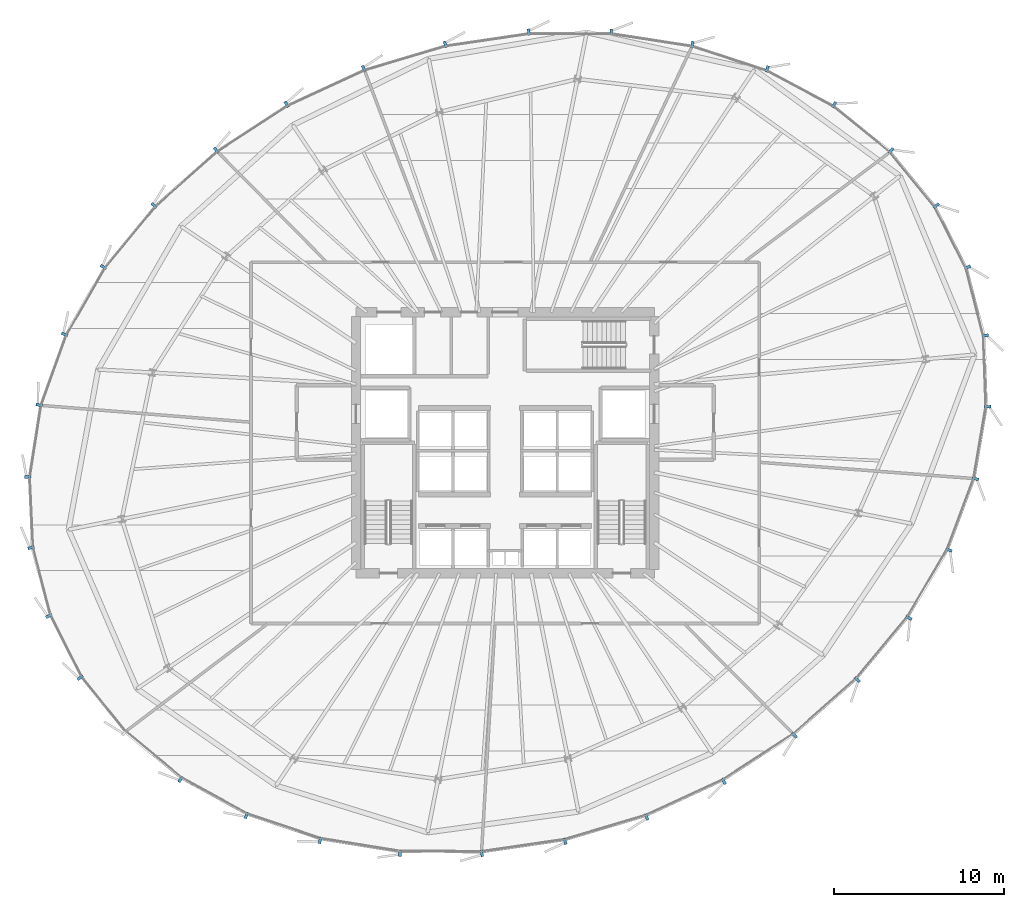
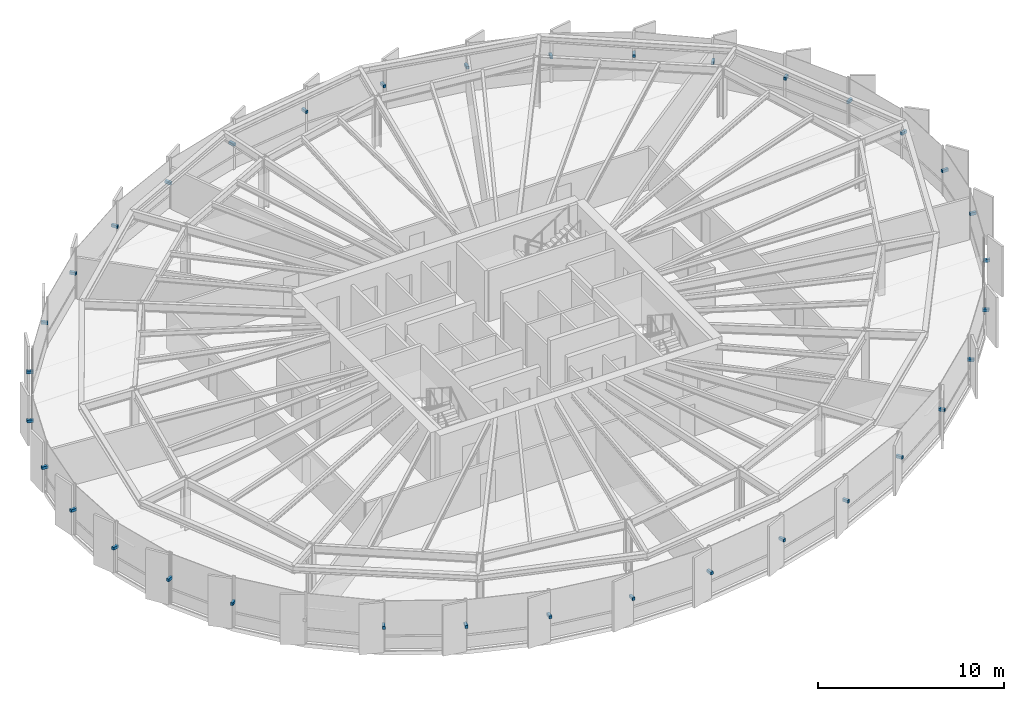
# One storey, part 29 of 33: 35 discrete accessories.
"""IFC4 building model written with IfcOpenShell, lengths in metres."""

import ifcopenshell
import ifcopenshell.guid

model = None  # the IFC model being written
_history = None  # IfcOwnerHistory: only IFC2X3 demands one
_inside = {}  # id of a spatial element -> (the spatial element, [elements in it])
_under = {}  # id of a project, library or spatial element -> (it, [spatial elements below it])
_declared = {}  # id of a project -> (the project, [libraries it declares])
_typed = {}  # id of a type object -> (the type object, [elements of that type])
_made_of = {}  # id of a material, layer set ... -> (it, [elements and type objects made of it])


def new_model(schema):
    """Start an empty IFC model of exactly this schema.

    Asked for "IFC4X3", IfcOpenShell would pick the latest addendum, in which some entities
    have other attributes; the version numbers below select the first issue.
    IFC2X3 requires an IfcOwnerHistory on every rooted entity: one is made here for all.
    """
    global model, _history
    if schema == "IFC4X3":
        model = ifcopenshell.file(schema_version=(4, 3, 0, 0))
    else:
        model = ifcopenshell.file(schema=schema)
    _inside.clear()
    _under.clear()
    _declared.clear()
    _typed.clear()
    _made_of.clear()
    _history = None
    if model.schema == "IFC2X3":
        org = make("IfcOrganization", Name="unknown")
        user = make(
            "IfcPersonAndOrganization",
            ThePerson=make("IfcPerson", FamilyName="unknown"),
            TheOrganization=org,
        )
        app = make(
            "IfcApplication",
            ApplicationDeveloper=org,
            Version="unknown",
            ApplicationFullName="unknown",
            ApplicationIdentifier="unknown",
        )
        _history = make(
            "IfcOwnerHistory",
            OwningUser=user,
            OwningApplication=app,
            ChangeAction="ADDED",
            CreationDate=0,
        )
    return model


def make(cls, **values):
    """One entity of the class cls with the attributes given. An attribute that is None is left unset."""
    return model.create_entity(
        cls, **{name: value for name, value in values.items() if value is not None}
    )


def rooted(cls, **values):
    """An entity with a GlobalId (a new one), such as an element, a storey or a relation."""
    return make(cls, GlobalId=ifcopenshell.guid.new(), OwnerHistory=_history, **values)


def si_unit(unit_type, name, prefix=None):
    """IfcSIUnit, for example si_unit("LENGTHUNIT", "METRE", prefix="MILLI")."""
    return make("IfcSIUnit", UnitType=unit_type, Prefix=prefix, Name=name)


def assignment(units):
    """IfcUnitAssignment: the units of a project."""
    return None if units is None else make("IfcUnitAssignment", Units=units)


def point(xyz):
    """IfcCartesianPoint."""
    return None if xyz is None else make("IfcCartesianPoint", Coordinates=xyz)


def direction(xyz):
    """IfcDirection."""
    return None if xyz is None else make("IfcDirection", DirectionRatios=xyz)


def frame(location, z_axis=None, x_axis=None):
    """IfcAxis2Placement3D, a coordinate frame: its origin and axes. An axis left out is left unset."""
    return make(
        "IfcAxis2Placement3D",
        Location=point(location),
        Axis=direction(z_axis),
        RefDirection=direction(x_axis),
    )


def frame_2d(location, x_axis=None):
    """IfcAxis2Placement2D, a coordinate frame in the plane: its origin and x axis."""
    return make(
        "IfcAxis2Placement2D", Location=point(location), RefDirection=direction(x_axis)
    )


def origin():
    """The frame at (0, 0, 0) with its axes left unset."""
    return frame((0.0, 0.0, 0.0))


def origin_2d():
    """The frame at (0, 0) in the plane with its x axis left unset."""
    return frame_2d((0.0, 0.0))


def place(relative_to, where):
    """IfcLocalPlacement: puts the frame where relative to a parent placement (None: the world)."""
    return make(
        "IfcLocalPlacement", PlacementRelTo=relative_to, RelativePlacement=where
    )


def context(
    kind, dimensions, precision=None, world=None, true_north=None, identifier=None
):
    """IfcGeometricRepresentationContext, for example the 3D "Model" context."""
    return make(
        "IfcGeometricRepresentationContext",
        ContextIdentifier=identifier,
        ContextType=kind,
        CoordinateSpaceDimension=dimensions,
        Precision=precision,
        WorldCoordinateSystem=world,
        TrueNorth=true_north,
    )


def subcontext(parent, identifier, kind, view, scale=None):
    """IfcGeometricRepresentationSubContext, for example "Body" below "Model"."""
    return make(
        "IfcGeometricRepresentationSubContext",
        ContextIdentifier=identifier,
        ContextType=kind,
        ParentContext=parent,
        TargetScale=scale,
        TargetView=view,
    )


def project(units=None, contexts=None):
    """IfcProject with its units and contexts."""
    return rooted(
        "IfcProject",
        Name="project",
        RepresentationContexts=contexts,
        UnitsInContext=assignment(units),
    )


def spatial(cls, under=None, at=None, **own):
    """A site, building, storey or space (cls), placed at a placement, below another one or the project."""
    s = rooted(cls, ObjectPlacement=at, **own)
    if under is not None:
        _under.setdefault(under.id(), (under, []))[1].append(s)
    return s


def profile(cls, at=None, kind="AREA", **sizes):
    """A parametric profile (cls). Its sizes go by their IFC names, for example OverallWidth=200.0."""
    return make(cls, ProfileType=kind, Position=at, **sizes)


def rectangle(**sizes):
    """IfcRectangleProfileDef."""
    return profile("IfcRectangleProfileDef", **sizes)


def extrude(swept, where, along, depth):
    """IfcExtrudedAreaSolid: the profile swept, set in the frame where, extruded along a direction by depth."""
    return make(
        "IfcExtrudedAreaSolid",
        SweptArea=swept,
        Position=where,
        ExtrudedDirection=direction(along),
        Depth=depth,
    )


def shape(context_of_items, identifier, shape_type, items):
    """IfcShapeRepresentation: the items that make up one representation, for example the "Body"."""
    return make(
        "IfcShapeRepresentation",
        ContextOfItems=context_of_items,
        RepresentationIdentifier=identifier,
        RepresentationType=shape_type,
        Items=items,
    )


def source(mapping_origin, context_of_items, identifier, shape_type, items):
    """IfcRepresentationMap: a shape defined once, which mapped items show again and again."""
    return make(
        "IfcRepresentationMap",
        MappingOrigin=mapping_origin,
        MappedRepresentation=shape(context_of_items, identifier, shape_type, items),
    )


def transform(
    local_origin,
    x_axis=None,
    y_axis=None,
    z_axis=None,
    scale=None,
    scale2=None,
    scale3=None,
    uniform=True,
):
    """IfcCartesianTransformationOperator3D, or its non-uniform kind. x_axis, y_axis, z_axis: its Axis1, 2, 3."""
    if uniform:
        return make(
            "IfcCartesianTransformationOperator3D",
            Axis1=direction(x_axis),
            Axis2=direction(y_axis),
            LocalOrigin=point(local_origin),
            Scale=scale,
            Axis3=direction(z_axis),
        )
    return make(
        "IfcCartesianTransformationOperator3DnonUniform",
        Axis1=direction(x_axis),
        Axis2=direction(y_axis),
        LocalOrigin=point(local_origin),
        Scale=scale,
        Axis3=direction(z_axis),
        Scale2=scale2,
        Scale3=scale3,
    )


def mapped(mapping_source, mapping_target):
    """IfcMappedItem: shows the shape of a source again, moved by a transform."""
    return make(
        "IfcMappedItem", MappingSource=mapping_source, MappingTarget=mapping_target
    )


def material(Name=None, Category=None):
    """IfcMaterial."""
    return make("IfcMaterial", Name=Name, Category=Category)


def made_of(thing, what):
    """Note that an element or type object is made of a material, layer set ...; save() writes the relation."""
    if what is not None:
        _made_of.setdefault(what.id(), (what, []))[1].append(thing)
    return thing


def type_object(cls, material=None, **own):
    """A type object (cls), such as IfcWallType, which elements share."""
    return made_of(rooted(cls, **own), material)


def element(
    cls,
    number,
    at=None,
    inside=None,
    cuts=None,
    type_object=None,
    material=None,
    context=None,
    identifier="Body",
    shape_type=None,
    held_by="IfcProductDefinitionShape",
    body=None,
    shapes=None,
    **own,
):
    """One element of the class cls, such as IfcWall. Its Tag is "e" and its number.

    at: its placement. inside: the storey or other place that contains it. cuts: it is an
    opening in that element (IfcRelVoidsElement). A single representation is given by context,
    identifier, shape_type and body (its items); several are given by shapes. held_by: the class
    of the entity that holds the representations. save() writes the other relations.
    """
    e = rooted(cls, Tag="e%d" % number, ObjectPlacement=at, **own)
    if body is not None:
        shapes = [shape(context, identifier, shape_type, body)]
    if shapes is not None:
        e.Representation = make(held_by, Representations=shapes)
    if inside is not None:
        _inside.setdefault(inside.id(), (inside, []))[1].append(e)
    if cuts is not None:
        rooted(
            "IfcRelVoidsElement", RelatingBuildingElement=cuts, RelatedOpeningElement=e
        )
    if type_object is not None:
        _typed.setdefault(type_object.id(), (type_object, []))[1].append(e)
    return made_of(e, material)


def aggregate(whole, parts):
    """IfcRelAggregates: a whole, such as a stair, and the parts it consists of."""
    return rooted("IfcRelAggregates", RelatingObject=whole, RelatedObjects=parts)


def save(model, path):
    """Write the relations noted so far, then the file.

    IfcRelAggregates (storeys below a building ...), IfcRelContainedInSpatialStructure (elements
    in a storey), IfcRelDefinesByType, IfcRelAssociatesMaterial and IfcRelDeclares: one each for
    every whole, place, type object, material and project.
    """
    for whole, parts in _under.values():
        aggregate(whole, parts)
    for where, things in _inside.values():
        rooted(
            "IfcRelContainedInSpatialStructure",
            RelatedElements=things,
            RelatingStructure=where,
        )
    for kind, things in _typed.values():
        rooted("IfcRelDefinesByType", RelatedObjects=things, RelatingType=kind)
    for what, things in _made_of.values():
        rooted("IfcRelAssociatesMaterial", RelatedObjects=things, RelatingMaterial=what)
    for by, libraries in _declared.values():
        rooted("IfcRelDeclares", RelatingContext=by, RelatedDefinitions=libraries)
    model.write(path)


model = new_model("IFC4")

# Units and contexts
model_context = context("Model", 3, precision=1e-05, world=origin(), true_north=direction((0.0, 1.0)))
body_context = subcontext(model_context, "Body", "Model", "MODEL_VIEW")
ifc_project = project(units=[si_unit("LENGTHUNIT", "METRE"), si_unit("AREAUNIT", "SQUARE_METRE"), si_unit("VOLUMEUNIT", "CUBIC_METRE"), si_unit("PLANEANGLEUNIT", "RADIAN"), si_unit("MASSUNIT", "GRAM", prefix="KILO"), si_unit("THERMODYNAMICTEMPERATUREUNIT", "KELVIN")], contexts=[model_context])

# Site, building, storey
site_placement = place(None, origin())
site = spatial("IfcSite", under=ifc_project, at=site_placement, CompositionType="ELEMENT")
building_placement = place(site_placement, origin())
building = spatial("IfcBuilding", under=site, at=building_placement, Name="Kethvar Cultural Tower", CompositionType="ELEMENT")
storey_placement = place(building_placement, frame((0.0, 0.0, 118.0)))
storey = spatial("IfcBuildingStorey", under=building, at=storey_placement, Name="L29", CompositionType="ELEMENT", Elevation=118.0)

# Discrete accessories
ifc_material = material(Name="Steel S355J2", Category="steel")
discrete_accessory_type = type_object("IfcDiscreteAccessoryType", Name="Steel Fin Bracket BRK-01", PredefinedType="BRACKET", material=ifc_material)
shared_shape = source(origin(), body_context, "Body", "SweptSolid", [
    extrude(rectangle(XDim=0.3798828125, YDim=0.159912109375, at=origin_2d()), origin(), (0.0, 0.0, 1.0), 0.179931640625),
])
for number, where, z_axis, x_axis, name in (
    (1, (74.084716796875, 38.152587890625, 1.5849609375), (0.0, 0.0, 1.0), (0.891006524188, 0.45399049974, 0.0), "L29 Terracotta Fin Bracket 1.1"),
    (2, (72.230224609375, 41.7919921875, 1.5849609375), (0.0, 0.0, 1.0), (0.773287186058, 0.634055934345, 0.0), "L29 Terracotta Fin Bracket 1.2"),
    (3, (69.5703125, 45.034912109375, 1.5849609375), (0.0, 0.0, 1.0), (0.628506220787, 0.777804557991, 0.0), "L29 Terracotta Fin Bracket 1.3"),
    (4, (66.209228515625, 47.75048828125, 1.5849609375), (0.0, 0.0, 1.0), (0.470703932165, 0.882291226435, 0.0), "L29 Terracotta Fin Bracket 1.4"),
    (5, (62.256591796875, 49.859130859375, 1.5849609375), (0.0, 0.0, 1.0), (0.310178698193, 0.950678271124, 0.0), "L29 Terracotta Fin Bracket 1.5"),
    (6, (57.841064453125, 51.2998046875, 1.5849609375), (0.0, 0.0, 1.0), (0.152813355565, 0.98825506746, 0.0), "L29 Terracotta Fin Bracket 1.6"),
    (7, (53.065185546875, 52.031982421875, 1.5849609375), (0.0, 0.0, 1.0), (0.000698131644, 0.999999756306, 0.0), "L29 Terracotta Fin Bracket 2.1"),
    (8, (48.1953125, 52.035400390625, 1.5849609375), (0.0, 0.0, 1.0), (-0.145565026779, 0.989348686247, 0.0), "L29 Terracotta Fin Bracket 2.2"),
    (9, (43.264404296875, 51.310302734375, 1.5849609375), (0.0, 0.0, 1.0), (-0.285688367405, 0.958322574465, 0.0), "L29 Terracotta Fin Bracket 2.3"),
    (10, (38.45703125, 49.876708984375, 1.5849609375), (0.0, 0.0, 1.0), (-0.419452082446, 0.907777478533, 0.0), "L29 Terracotta Fin Bracket 2.4"),
    (11, (33.908203125, 47.7744140625, 1.5849609375), (0.0, 0.0, 1.0), (-0.545955743199, 0.837814016633, 0.0), "L29 Terracotta Fin Bracket 2.5"),
    (12, (29.750732421875, 45.065185546875, 1.5849609375), (0.0, 0.0, 1.0), (-0.664187202975, 0.747566290977, 0.0), "L29 Terracotta Fin Bracket 2.6"),
    (13, (26.08642578125, 41.801513671875, 1.5849609375), (0.0, 0.0, 1.0), (-0.77229025973, 0.635269828282, 0.0), "L29 Terracotta Fin Bracket 3.1"),
    (14, (23.10009765625, 38.17138671875, 1.5849609375), (0.0, 0.0, 1.0), (-0.866374258561, 0.499395278414, 0.0), "L29 Terracotta Fin Bracket 3.2"),
    (15, (20.809326171875, 34.196044921875, 1.5849609375), (0.0, 0.0, 1.0), (-0.940880768954, 0.338737920245, 0.0), "L29 Terracotta Fin Bracket 3.3"),
    (16, (19.30810546875, 30.026123046875, 1.5849609375), (0.0, 0.0, 1.0), (-0.987878724177, 0.155227659645, 0.0), "L29 Terracotta Fin Bracket 3.4"),
    (17, (18.64208984375, 25.78857421875, 1.5849609375), (0.0, 0.0, 1.0), (-0.998970569791, -0.045362988129, 0.0), "L29 Terracotta Fin Bracket 3.5"),
    (18, (18.83203125, 21.612060546875, 1.5849609375), (0.0, 0.0, 1.0), (-0.967665161341, -0.252238251515, 0.0), "L29 Terracotta Fin Bracket 3.6"),
    (19, (19.889404296875, 17.5888671875, 1.5849609375), (0.0, 0.0, 1.0), (-0.892664497833, -0.450721748209, 0.0), "L29 Terracotta Fin Bracket 4.1"),
    (20, (21.72998046875, 13.9443359375, 1.5849609375), (0.0, 0.0, 1.0), (-0.779337964931, -0.626603811364, 0.0), "L29 Terracotta Fin Bracket 4.2"),
    (21, (27.65185546875, 7.9482421875, 1.5849609375), (0.0, 0.0, 1.0), (-0.481753674102, -0.876306680044, 0.0), "L29 Terracotta Fin Bracket 4.4"),
    (22, (31.535400390625, 5.813720703125, 1.5849609375), (0.0, 0.0, 1.0), (-0.319620898688, -0.947545503457, 0.0), "L29 Terracotta Fin Bracket 4.5"),
    (23, (35.8828125, 4.346923828125, 1.5849609375), (0.0, 0.0, 1.0), (-0.159191997666, -0.98724764263, 0.0), "L29 Terracotta Fin Bracket 4.6"),
    (24, (40.600830078125, 3.5927734375, 1.5849609375), (0.0, 0.0, 1.0), (-0.003839714919, -0.999992628267, 0.0), "L29 Terracotta Fin Bracket 5.1"),
    (25, (45.430419921875, 3.57421875, 1.5849609375), (0.0, 0.0, 1.0), (0.144528903632, -0.989500579088, 0.0), "L29 Terracotta Fin Bracket 5.2"),
    (26, (50.34033203125, 4.29150390625, 1.5849609375), (0.0, 0.0, 1.0), (0.285688367405, -0.958322574465, 0.0), "L29 Terracotta Fin Bracket 5.3"),
    (27, (55.142822265625, 5.72314453125, 1.5849609375), (0.0, 0.0, 1.0), (0.419452082446, -0.907777478533, 0.0), "L29 Terracotta Fin Bracket 5.4"),
    (28, (59.696533203125, 7.827392578125, 1.5849609375), (0.0, 0.0, 1.0), (0.54507808722, -0.838385280663, 0.0), "L29 Terracotta Fin Bracket 5.5"),
    (29, (63.875, 10.544189453125, 1.5849609375), (0.0, 0.0, 1.0), (0.66183538044, -0.749649204093, 0.0), "L29 Terracotta Fin Bracket 5.6"),
    (30, (67.579833984375, 13.823486328125, 1.5849609375), (0.0, 0.0, 1.0), (0.768171791674, -0.640243780506, 0.0), "L29 Terracotta Fin Bracket 6.1"),
    (31, (70.623779296875, 17.475341796875, 1.5849609375), (0.0, 0.0, 1.0), (0.861363295878, -0.507989441341, 0.0), "L29 Terracotta Fin Bracket 6.2"),
    (32, (72.98291015625, 21.476318359375, 1.5849609375), (0.0, 0.0, 1.0), (0.936549886748, -0.350534320191, 0.0), "L29 Terracotta Fin Bracket 6.3"),
    (33, (74.552978515625, 25.67236328125, 1.5849609375), (0.0, 0.0, 1.0), (0.985820856646, -0.167801187722, 0.0), "L29 Terracotta Fin Bracket 6.4"),
    (34, (75.278076171875, 29.932373046875, 1.5849609375), (0.0, 0.0, 1.0), (0.999359990927, 0.035771616325, 0.0), "L29 Terracotta Fin Bracket 6.5"),
    (35, (75.128173828125, 34.1240234375, 1.5849609375), (0.0, 0.0, 1.0), (0.968583161129, 0.248689887165, 0.0), "L29 Terracotta Fin Bracket 6.6"),
):
    element("IfcDiscreteAccessory", number, at=place(storey_placement, frame(where, z_axis=z_axis, x_axis=x_axis)), inside=storey, type_object=discrete_accessory_type, Name=name, PredefinedType="BRACKET", context=body_context, shape_type="MappedRepresentation", body=[
        mapped(shared_shape, transform((0.0, 0.0, 0.0), scale=1.0)),
    ])

save(model, "model.ifc")
